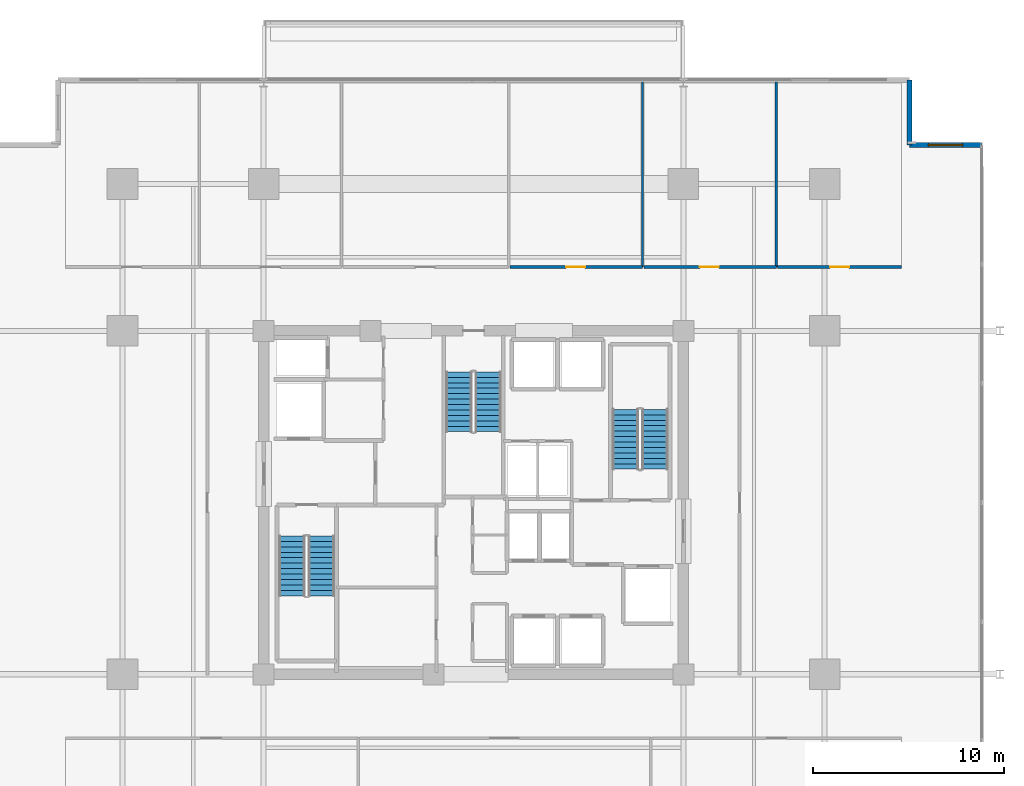
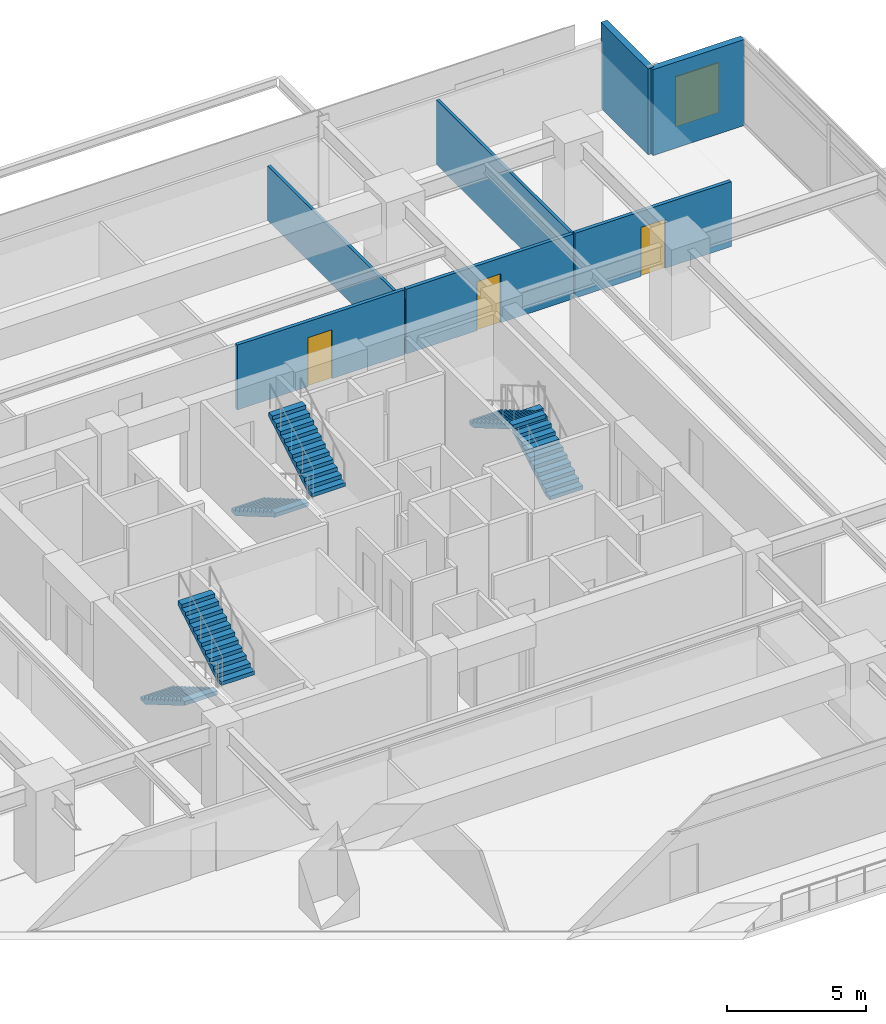
# One storey, part 18 of 22: 7 walls, 6 stair flights, 3 doors, 1 window, 4 openings, 3 elements without a shape of their own.
"""IFC4 building model written with IfcOpenShell, lengths in metres."""

from ifc_helpers import new_model, si_unit, direction, frame, frame_2d, origin, place, context, subcontext, project, spatial, polyline, rectangle, outline, extrude, material, layer, layer_set, type_object, element, fill, aggregate, save


model = new_model("IFC4")

# Units and contexts
model_context = context("Model", 3, precision=1e-05, world=origin(), true_north=direction((0.0, 1.0)))
body_context = subcontext(model_context, "Body", "Model", "MODEL_VIEW")
ifc_project = project(units=[si_unit("LENGTHUNIT", "METRE"), si_unit("AREAUNIT", "SQUARE_METRE"), si_unit("VOLUMEUNIT", "CUBIC_METRE"), si_unit("PLANEANGLEUNIT", "RADIAN"), si_unit("MASSUNIT", "GRAM", prefix="KILO")], contexts=[model_context])

# Site, building, storey
site_placement = place(None, origin())
site = spatial("IfcSite", under=ifc_project, at=site_placement, CompositionType="ELEMENT")
building_placement = place(site_placement, origin())
building = spatial("IfcBuilding", under=site, at=building_placement, Name="Kovane Verandah Tower", CompositionType="ELEMENT")
storey_placement = place(building_placement, frame((0.0, 0.0, 156.39990234375)))
storey = spatial("IfcBuildingStorey", under=building, at=storey_placement, Name="L36", CompositionType="ELEMENT", Elevation=156.39990234375)

# Wall, opening, door
ifc_material_1 = material(Name="Fire-Rated Gypsum Stud Partition", Category="gypsum")
ifc_layer_1 = layer(ifc_material_1, 0.14990234375)
ifc_layer_set_1 = layer_set([ifc_layer_1], Name="Fire-Rated Gypsum Stud Partition")
wall_type_1 = type_object("IfcWallType", Name="WL-COR-150", PredefinedType="PARTITIONING", material=ifc_layer_set_1)
wall_1_placement = place(storey_placement, frame((41.91552734375, 39.85009765625, 0.0), z_axis=(0.0, 0.0, 1.0), x_axis=(1.0, 0.0, 0.0)))
wall_1 = element("IfcWall", 1, at=wall_1_placement, inside=storey, type_object=wall_type_1, Name="L36 Collaboration Hub N4 Corridor Partition", PredefinedType="PARTITIONING", context=body_context, shape_type="SweptSolid", body=[
    extrude(rectangle(XDim=6.941650390625, YDim=0.14990234375, at=frame_2d((3.470703125, 0.0))), origin(), (0.0, 0.0, 1.0), 2.85009765625),
])
opening_1_placement = place(wall_1_placement, frame((2.935791015625, 0.0, 0.0)))
opening_1 = element("IfcOpeningElement", 2, at=opening_1_placement, cuts=wall_1, Name="Opening DR-L36-020", PredefinedType="OPENING", context=body_context, shape_type="SweptSolid", body=[
    extrude(rectangle(XDim=1.0, YDim=2.14990234375, at=frame_2d((0.5, 1.074951171875))), frame((0.0, 0.074951171875, 0.0), z_axis=(0.0, -1.0, 0.0), x_axis=(1.0, 0.0, 0.0)), (0.0, 0.0, 1.0), 0.14990234375),
])
ifc_material_2 = material(Name="FSC Spotted-Gum Timber Fire-Rated Office Door", Category="wood")
door_type = type_object("IfcDoorType", Name="DR-OFF-1000", OperationType="SINGLE_SWING_LEFT", PredefinedType="DOOR", material=ifc_material_2)
door_1_placement = place(opening_1_placement, origin())
door_1 = element("IfcDoor", 3, at=door_1_placement, inside=storey, type_object=door_type, Name="L36 Collaboration Hub N4 Entrance Door", OperationType="SINGLE_SWING_RIGHT", OverallHeight=2.14990234375, OverallWidth=1.0, PredefinedType="DOOR", context=body_context, shape_type="SweptSolid", body=[
    extrude(rectangle(XDim=1.0, YDim=2.14990234375, at=frame_2d((0.5, 1.074951171875))), frame((0.0, 0.02490234375, 0.0), z_axis=(0.0, -1.0, 0.0), x_axis=(1.0, 0.0, 0.0)), (0.0, 0.0, 1.0), 0.050048828125),
])
fill(opening_1, door_1)

wall_2_placement = place(storey_placement, frame((48.927001953125, 39.85009765625, 0.0), z_axis=(0.0, 0.0, 1.0), x_axis=(1.0, 0.0, 0.0)))
wall_2 = element("IfcWall", 4, at=wall_2_placement, inside=storey, type_object=wall_type_1, Name="L36 Document and Print Room N5 Corridor Partition", PredefinedType="PARTITIONING", context=body_context, shape_type="SweptSolid", body=[
    extrude(rectangle(XDim=6.941650390625, YDim=0.14990234375, at=frame_2d((3.470703125, 0.0))), origin(), (0.0, 0.0, 1.0), 2.85009765625),
])
opening_2_placement = place(wall_2_placement, frame((2.935791015625, 0.0, 0.0)))
opening_2 = element("IfcOpeningElement", 5, at=opening_2_placement, cuts=wall_2, Name="Opening DR-L36-021", PredefinedType="OPENING", context=body_context, shape_type="SweptSolid", body=[
    extrude(rectangle(XDim=1.0, YDim=2.14990234375, at=frame_2d((0.5, 1.074951171875))), frame((0.0, 0.074951171875, 0.0), z_axis=(0.0, -1.0, 0.0), x_axis=(1.0, 0.0, 0.0)), (0.0, 0.0, 1.0), 0.14990234375),
])
door_2_placement = place(opening_2_placement, origin())
door_2 = element("IfcDoor", 6, at=door_2_placement, inside=storey, type_object=door_type, Name="L36 Document and Print Room N5 Entrance Door", OperationType="SINGLE_SWING_LEFT", OverallHeight=2.14990234375, OverallWidth=1.0, PredefinedType="DOOR", context=body_context, shape_type="SweptSolid", body=[
    extrude(rectangle(XDim=1.0, YDim=2.14990234375, at=frame_2d((0.5, 1.074951171875))), frame((0.0, 0.02490234375, 0.0), z_axis=(0.0, -1.0, 0.0), x_axis=(1.0, 0.0, 0.0)), (0.0, 0.0, 1.0), 0.050048828125),
])
fill(opening_2, door_2)

wall_3_placement = place(storey_placement, frame((55.938720703125, 39.85009765625, 0.0), z_axis=(0.0, 0.0, 1.0), x_axis=(1.0, 0.0, 0.0)))
wall_3 = element("IfcWall", 7, at=wall_3_placement, inside=storey, type_object=wall_type_1, Name="L36 Open Plan Office N6 Corridor Partition", PredefinedType="PARTITIONING", context=body_context, shape_type="SweptSolid", body=[
    extrude(rectangle(XDim=6.503173828125, YDim=0.14990234375, at=frame_2d((3.25146484375, 0.0))), origin(), (0.0, 0.0, 1.0), 2.85009765625),
])
opening_3_placement = place(wall_3_placement, frame((2.751708984375, 0.0, 0.0)))
opening_3 = element("IfcOpeningElement", 8, at=opening_3_placement, cuts=wall_3, Name="Opening DR-L36-022", PredefinedType="OPENING", context=body_context, shape_type="SweptSolid", body=[
    extrude(rectangle(XDim=1.0, YDim=2.14990234375, at=frame_2d((0.5, 1.074951171875))), frame((0.0, 0.074951171875, 0.0), z_axis=(0.0, -1.0, 0.0), x_axis=(1.0, 0.0, 0.0)), (0.0, 0.0, 1.0), 0.14990234375),
])
door_3_placement = place(opening_3_placement, origin())
door_3 = element("IfcDoor", 9, at=door_3_placement, inside=storey, type_object=door_type, Name="L36 Open Plan Office N6 Entrance Door", OperationType="SINGLE_SWING_RIGHT", OverallHeight=2.14990234375, OverallWidth=1.0, PredefinedType="DOOR", context=body_context, shape_type="SweptSolid", body=[
    extrude(rectangle(XDim=1.0, YDim=2.14990234375, at=frame_2d((0.5, 1.074951171875))), frame((0.0, 0.02490234375, 0.0), z_axis=(0.0, -1.0, 0.0), x_axis=(1.0, 0.0, 0.0)), (0.0, 0.0, 1.0), 0.050048828125),
])
fill(opening_3, door_3)

# Walls
ifc_material_3 = material(Name="Acoustic Fire-Rated Gypsum Partition", Category="gypsum")
ifc_layer_2 = layer(ifc_material_3, 0.1201171875)
ifc_layer_set_2 = layer_set([ifc_layer_2], Name="Acoustic Fire-Rated Gypsum Partition")
wall_type_2 = type_object("IfcWallType", Name="WL-PART-120", PredefinedType="PARTITIONING", material=ifc_layer_set_2)
wall_4_placement = place(storey_placement, frame((48.857177734375, 39.85009765625, 0.0), z_axis=(0.0, 0.0, 1.0), x_axis=(0.0, 1.0, 0.0)))
element("IfcWall", 10, at=wall_4_placement, inside=storey, type_object=wall_type_2, Name="L36 Collaboration Hub N4 Dividing Partition", PredefinedType="PARTITIONING", context=body_context, shape_type="SweptSolid", body=[
    extrude(rectangle(XDim=9.696044921875, YDim=0.1201171875, at=frame_2d((4.84814453125, 0.0))), origin(), (0.0, 0.0, 1.0), 2.405029296875),
])
wall_5_placement = place(storey_placement, frame((55.86865234375, 39.85009765625, 0.0), z_axis=(0.0, 0.0, 1.0), x_axis=(0.0, 1.0, 0.0)))
element("IfcWall", 11, at=wall_5_placement, inside=storey, type_object=wall_type_2, Name="L36 Document and Print Room N5 Dividing Partition", PredefinedType="PARTITIONING", context=body_context, shape_type="SweptSolid", body=[
    extrude(rectangle(XDim=9.696044921875, YDim=0.1201171875, at=frame_2d((4.84814453125, 0.0))), origin(), (0.0, 0.0, 1.0), 2.85009765625),
])

# Wall, opening, window
ifc_material_4 = material(Name="Concrete C45/55 Insulated Spandrel Wall", Category="concrete")
ifc_layer_3 = layer(ifc_material_4, 0.260009765625)
ifc_layer_set_3 = layer_set([ifc_layer_3], Name="Concrete C45/55 Insulated Spandrel Wall")
wall_type_3 = type_object("IfcWallType", Name="WL-SPANDREL-260", PredefinedType="PARAPET", material=ifc_layer_set_3)
wall_6_placement = place(storey_placement, frame((66.64208984375, 46.24609375, 0.0), z_axis=(0.0, 0.0, 1.0), x_axis=(-1.0, 0.0, 0.0)))
wall_6 = element("IfcWall", 12, at=wall_6_placement, inside=storey, type_object=wall_type_3, Name="L36 NE Notch Cheek Wall 1", PredefinedType="PARAPET", context=body_context, shape_type="SweptSolid", body=[
    extrude(rectangle(XDim=3.800048828125, YDim=0.260009765625, at=frame_2d((1.89990234375, 0.0))), origin(), (0.0, 0.0, 1.0), 3.775146484375),
])
opening_4_placement = place(wall_6_placement, frame((1.0, 0.0, 0.85009765625)))
opening_4 = element("IfcOpeningElement", 13, at=opening_4_placement, cuts=wall_6, Name="Opening W-03", PredefinedType="OPENING", context=body_context, shape_type="SweptSolid", body=[
    extrude(rectangle(XDim=1.800048828125, YDim=2.199951171875, at=frame_2d((0.89990234375, 1.10009765625))), frame((0.0, 0.1298828125, 0.0), z_axis=(0.0, -1.0, 0.0), x_axis=(1.0, 0.0, 0.0)), (0.0, 0.0, 1.0), 0.260009765625),
])
ifc_material_5 = material(Name="Clear Low-E Laminated Double Glazing in Anodised Frame", Category="glass")
window_type = type_object("IfcWindowType", Name="WN-NOTCH-1800x2200", PartitioningType="SINGLE_PANEL", PredefinedType="WINDOW", material=ifc_material_5)
window_placement = place(opening_4_placement, origin())
window = element("IfcWindow", 14, at=window_placement, inside=storey, type_object=window_type, Name="L36 NE Re-Entrant Corner Operable Window", OverallHeight=2.199951171875, OverallWidth=1.800048828125, PartitioningType="SINGLE_PANEL", PredefinedType="WINDOW", context=body_context, shape_type="SweptSolid", body=[
    extrude(rectangle(XDim=1.800048828125, YDim=2.199951171875, at=frame_2d((0.89990234375, 1.10009765625))), frame((0.0, 0.030029296875, 0.0), z_axis=(0.0, -1.0, 0.0), x_axis=(1.0, 0.0, 0.0)), (0.0, 0.0, 1.0), 0.06005859375),
])
fill(opening_4, window)

# Wall
wall_7_placement = place(storey_placement, frame((62.842041015625, 46.24609375, 0.0), z_axis=(0.0, 0.0, 1.0), x_axis=(0.0, 1.0, 0.0)))
element("IfcWall", 15, at=wall_7_placement, inside=storey, type_object=wall_type_3, Name="L36 NE Notch Cheek Wall 2", PredefinedType="PARAPET", context=body_context, shape_type="SweptSolid", body=[
    extrude(rectangle(XDim=3.400146484375, YDim=0.260009765625, at=frame_2d((1.7001953125, 0.0))), origin(), (0.0, 0.0, 1.0), 3.775146484375),
])

# Stair, stair flights
ifc_material_6 = material(Name="Concrete C45/55", Category="concrete")
stair_type = type_object("IfcStairType", Name="ST-CORE-1380", PredefinedType="HALF_TURN_STAIR", material=ifc_material_6)
stair_1_placement = place(storey_placement, origin())
stair_1 = element("IfcStair", 16, at=stair_1_placement, inside=storey, type_object=stair_type, Name="L36 Exit Stair ST-01", PredefinedType="HALF_TURN_STAIR")
stair_flight_type = type_object("IfcStairFlightType", Name="STF-CORE-1380", PredefinedType="STRAIGHT", material=ifc_material_6)
stair_flight_1_placement = place(storey_placement, frame((30.489990234375, 25.75, 0.0), z_axis=(0.0, 0.0, 1.0), x_axis=(0.0, -1.0, 0.0)))
stair_flight_1 = element("IfcStairFlight", 17, at=stair_flight_1_placement, type_object=stair_flight_type, Name="ST-01 flight 1", NumberOfRisers=12, NumberOfTreads=11, PredefinedType="STRAIGHT", RiserHeight=0.166666667, TreadLength=0.285, context=body_context, shape_type="SweptSolid", body=[
    extrude(outline(polyline([(0.0, 0.0), (0.0, 0.166748046875), (0.284912109375, 0.166748046875), (0.284912109375, 0.333251953125), (0.570068359375, 0.333251953125), (0.570068359375, 0.5), (0.85498046875, 0.5), (0.85498046875, 0.666748046875), (1.139892578125, 0.666748046875), (1.139892578125, 0.833251953125), (1.425048828125, 0.833251953125), (1.425048828125, 1.0), (1.7099609375, 1.0), (1.7099609375, 1.166748046875), (1.9951171875, 1.166748046875), (1.9951171875, 1.333251953125), (2.280029296875, 1.333251953125), (2.280029296875, 1.5), (2.56494140625, 1.5), (2.56494140625, 1.666748046875), (2.85009765625, 1.666748046875), (2.85009765625, 1.833251953125), (3.135009765625, 1.833251953125), (3.135009765625, 2.0), (3.135009765625, 1.65966796875), (0.296875, 0.0), (0.0, 0.0)])), frame((0.0, 0.68994140625, 0.0), z_axis=(0.0, -1.0, 0.0), x_axis=(1.0, 0.0, 0.0)), (0.0, 0.0, 1.0), 1.3798828125),
])
stair_flight_2_placement = place(storey_placement, frame((32.030029296875, 22.614990234375, 2.0), z_axis=(0.0, 0.0, 1.0), x_axis=(0.0, 1.0, 0.0)))
stair_flight_2 = element("IfcStairFlight", 18, at=stair_flight_2_placement, type_object=stair_flight_type, Name="ST-01 flight 2", NumberOfRisers=12, NumberOfTreads=11, PredefinedType="STRAIGHT", RiserHeight=0.166666667, TreadLength=0.285, context=body_context, shape_type="SweptSolid", body=[
    extrude(outline(polyline([(0.0, 0.0), (0.0, 0.166748046875), (0.284912109375, 0.166748046875), (0.284912109375, 0.333251953125), (0.570068359375, 0.333251953125), (0.570068359375, 0.5), (0.85498046875, 0.5), (0.85498046875, 0.666748046875), (1.139892578125, 0.666748046875), (1.139892578125, 0.833251953125), (1.425048828125, 0.833251953125), (1.425048828125, 1.0), (1.7099609375, 1.0), (1.7099609375, 1.166748046875), (1.9951171875, 1.166748046875), (1.9951171875, 1.333251953125), (2.280029296875, 1.333251953125), (2.280029296875, 1.5), (2.56494140625, 1.5), (2.56494140625, 1.666748046875), (2.85009765625, 1.666748046875), (2.85009765625, 1.833251953125), (3.135009765625, 1.833251953125), (3.135009765625, 2.0), (3.135009765625, 1.65966796875), (0.296875, 0.0), (0.0, 0.0)])), frame((0.0, 0.68994140625, 0.0), z_axis=(0.0, -1.0, 0.0), x_axis=(1.0, 0.0, 0.0)), (0.0, 0.0, 1.0), 1.3798828125),
])
aggregate(stair_1, [stair_flight_1, stair_flight_2])

stair_2_placement = place(storey_placement, origin())
stair_2 = element("IfcStair", 19, at=stair_2_placement, inside=storey, type_object=stair_type, Name="L36 Exit Stair ST-02", PredefinedType="HALF_TURN_STAIR")
stair_flight_3_placement = place(storey_placement, frame((49.510009765625, 29.25, 0.0), z_axis=(0.0, 0.0, 1.0), x_axis=(0.0, 1.0, 0.0)))
stair_flight_3 = element("IfcStairFlight", 20, at=stair_flight_3_placement, type_object=stair_flight_type, Name="ST-02 flight 1", NumberOfRisers=12, NumberOfTreads=11, PredefinedType="STRAIGHT", RiserHeight=0.166666667, TreadLength=0.285, context=body_context, shape_type="SweptSolid", body=[
    extrude(outline(polyline([(0.0, 0.0), (0.0, 0.166748046875), (0.284912109375, 0.166748046875), (0.284912109375, 0.333251953125), (0.570068359375, 0.333251953125), (0.570068359375, 0.5), (0.85498046875, 0.5), (0.85498046875, 0.666748046875), (1.139892578125, 0.666748046875), (1.139892578125, 0.833251953125), (1.425048828125, 0.833251953125), (1.425048828125, 1.0), (1.7099609375, 1.0), (1.7099609375, 1.166748046875), (1.9951171875, 1.166748046875), (1.9951171875, 1.333251953125), (2.280029296875, 1.333251953125), (2.280029296875, 1.5), (2.56494140625, 1.5), (2.56494140625, 1.666748046875), (2.85009765625, 1.666748046875), (2.85009765625, 1.833251953125), (3.135009765625, 1.833251953125), (3.135009765625, 2.0), (3.135009765625, 1.65966796875), (0.296875, 0.0), (0.0, 0.0)])), frame((0.0, 0.68994140625, 0.0), z_axis=(0.0, -1.0, 0.0), x_axis=(1.0, 0.0, 0.0)), (0.0, 0.0, 1.0), 1.3798828125),
])
stair_flight_4_placement = place(storey_placement, frame((47.969970703125, 32.385009765625, 2.0), z_axis=(0.0, 0.0, 1.0), x_axis=(0.0, -1.0, 0.0)))
stair_flight_4 = element("IfcStairFlight", 21, at=stair_flight_4_placement, type_object=stair_flight_type, Name="ST-02 flight 2", NumberOfRisers=12, NumberOfTreads=11, PredefinedType="STRAIGHT", RiserHeight=0.166666667, TreadLength=0.285, context=body_context, shape_type="SweptSolid", body=[
    extrude(outline(polyline([(0.0, 0.0), (0.0, 0.166748046875), (0.284912109375, 0.166748046875), (0.284912109375, 0.333251953125), (0.570068359375, 0.333251953125), (0.570068359375, 0.5), (0.85498046875, 0.5), (0.85498046875, 0.666748046875), (1.139892578125, 0.666748046875), (1.139892578125, 0.833251953125), (1.425048828125, 0.833251953125), (1.425048828125, 1.0), (1.7099609375, 1.0), (1.7099609375, 1.166748046875), (1.9951171875, 1.166748046875), (1.9951171875, 1.333251953125), (2.280029296875, 1.333251953125), (2.280029296875, 1.5), (2.56494140625, 1.5), (2.56494140625, 1.666748046875), (2.85009765625, 1.666748046875), (2.85009765625, 1.833251953125), (3.135009765625, 1.833251953125), (3.135009765625, 2.0), (3.135009765625, 1.65966796875), (0.296875, 0.0), (0.0, 0.0)])), frame((0.0, 0.68994140625, 0.0), z_axis=(0.0, -1.0, 0.0), x_axis=(1.0, 0.0, 0.0)), (0.0, 0.0, 1.0), 1.3798828125),
])
aggregate(stair_2, [stair_flight_3, stair_flight_4])

stair_3_placement = place(storey_placement, origin())
stair_3 = element("IfcStair", 22, at=stair_3_placement, inside=storey, type_object=stair_type, Name="L36 Exit Stair ST-03", PredefinedType="HALF_TURN_STAIR")
stair_flight_5_placement = place(storey_placement, frame((39.22998046875, 34.35009765625, 0.0), z_axis=(0.0, 0.0, 1.0), x_axis=(0.0, -1.0, 0.0)))
stair_flight_5 = element("IfcStairFlight", 23, at=stair_flight_5_placement, type_object=stair_flight_type, Name="ST-03 flight 1", NumberOfRisers=12, NumberOfTreads=11, PredefinedType="STRAIGHT", RiserHeight=0.166666667, TreadLength=0.285, context=body_context, shape_type="SweptSolid", body=[
    extrude(outline(polyline([(0.0, 0.0), (0.0, 0.166748046875), (0.284912109375, 0.166748046875), (0.284912109375, 0.333251953125), (0.570068359375, 0.333251953125), (0.570068359375, 0.5), (0.85498046875, 0.5), (0.85498046875, 0.666748046875), (1.139892578125, 0.666748046875), (1.139892578125, 0.833251953125), (1.425048828125, 0.833251953125), (1.425048828125, 1.0), (1.7099609375, 1.0), (1.7099609375, 1.166748046875), (1.9951171875, 1.166748046875), (1.9951171875, 1.333251953125), (2.280029296875, 1.333251953125), (2.280029296875, 1.5), (2.56494140625, 1.5), (2.56494140625, 1.666748046875), (2.85009765625, 1.666748046875), (2.85009765625, 1.833251953125), (3.135009765625, 1.833251953125), (3.135009765625, 2.0), (3.135009765625, 1.65966796875), (0.296875, 0.0), (0.0, 0.0)])), frame((0.0, 0.68994140625, 0.0), z_axis=(0.0, -1.0, 0.0), x_axis=(1.0, 0.0, 0.0)), (0.0, 0.0, 1.0), 1.3798828125),
])
stair_flight_6_placement = place(storey_placement, frame((40.77001953125, 31.215087890625, 2.0), z_axis=(0.0, 0.0, 1.0), x_axis=(0.0, 1.0, 0.0)))
stair_flight_6 = element("IfcStairFlight", 24, at=stair_flight_6_placement, type_object=stair_flight_type, Name="ST-03 flight 2", NumberOfRisers=12, NumberOfTreads=11, PredefinedType="STRAIGHT", RiserHeight=0.166666667, TreadLength=0.285, context=body_context, shape_type="SweptSolid", body=[
    extrude(outline(polyline([(0.0, 0.0), (0.0, 0.166748046875), (0.284912109375, 0.166748046875), (0.284912109375, 0.333251953125), (0.570068359375, 0.333251953125), (0.570068359375, 0.5), (0.85498046875, 0.5), (0.85498046875, 0.666748046875), (1.139892578125, 0.666748046875), (1.139892578125, 0.833251953125), (1.425048828125, 0.833251953125), (1.425048828125, 1.0), (1.7099609375, 1.0), (1.7099609375, 1.166748046875), (1.9951171875, 1.166748046875), (1.9951171875, 1.333251953125), (2.280029296875, 1.333251953125), (2.280029296875, 1.5), (2.56494140625, 1.5), (2.56494140625, 1.666748046875), (2.85009765625, 1.666748046875), (2.85009765625, 1.833251953125), (3.135009765625, 1.833251953125), (3.135009765625, 2.0), (3.135009765625, 1.65966796875), (0.296875, 0.0), (0.0, 0.0)])), frame((0.0, 0.68994140625, 0.0), z_axis=(0.0, -1.0, 0.0), x_axis=(1.0, 0.0, 0.0)), (0.0, 0.0, 1.0), 1.3798828125),
])
aggregate(stair_3, [stair_flight_5, stair_flight_6])

save(model, "model.ifc")
